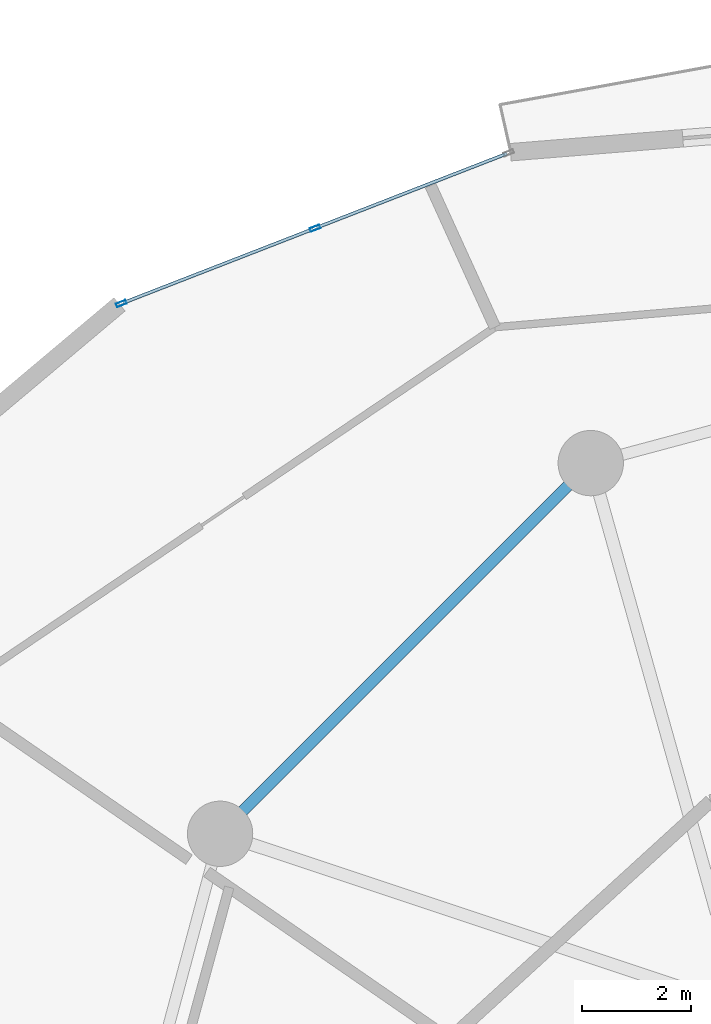
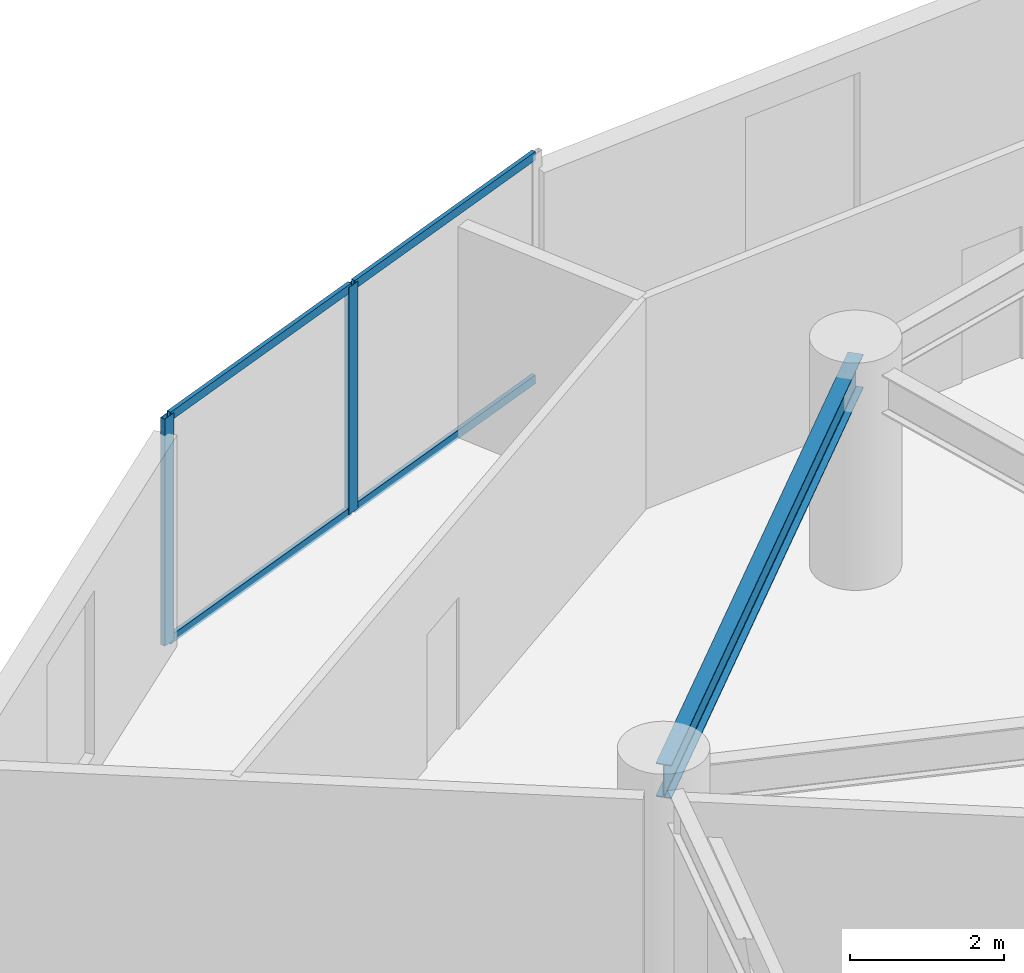
# One storey, part 15 of 26: 6 members, 1 beam, 1 element without a shape of its own.
"""IFC4 building model written with IfcOpenShell, lengths in metres."""

from ifc_helpers import new_model, si_unit, direction, frame, origin, origin_2d, place, context, subcontext, project, spatial, hollow_rectangle, i_section, extrude, source, transform, mapped, material, layer, layer_set, material_profile, profile_set, type_object, element, aggregate, save


model = new_model("IFC4")

# Units and contexts
model_context = context("Model", 3, precision=1e-05, world=origin(), true_north=direction((0.0, 1.0)))
body_context = subcontext(model_context, "Body", "Model", "MODEL_VIEW")
ifc_project = project(units=[si_unit("LENGTHUNIT", "METRE"), si_unit("AREAUNIT", "SQUARE_METRE"), si_unit("VOLUMEUNIT", "CUBIC_METRE"), si_unit("PLANEANGLEUNIT", "RADIAN"), si_unit("MASSUNIT", "GRAM", prefix="KILO")], contexts=[model_context])

# Site, building, storey
site_placement = place(None, origin())
site = spatial("IfcSite", under=ifc_project, at=site_placement, CompositionType="ELEMENT")
building_placement = place(site_placement, origin())
building = spatial("IfcBuilding", under=site, at=building_placement, Name="Solvirekh Grand Hotel", CompositionType="ELEMENT")
storey_placement = place(building_placement, frame((0.0, 0.0, 68.0)))
storey = spatial("IfcBuildingStorey", under=building, at=storey_placement, Name="L16", CompositionType="ELEMENT", Elevation=68.0)

# Beam
ifc_material_1 = material(Name="Steel S355", Category="steel")
ifc_material_profile_1 = material_profile(ifc_material_1, i_section(OverallWidth=0.208984375, OverallDepth=0.532958984375, WebThickness=0.010009765625, FlangeThickness=0.014892578125, FilletRadius=0.013916015625, at=origin_2d()), Name="W530X92")
ifc_profile_set_1 = profile_set([ifc_material_profile_1], Name="Steel S355")
beam_type = type_object("IfcBeamType", Name="Spandrel_Ring_W530", PredefinedType="SPANDREL", material=ifc_profile_set_1)
beam_placement = place(storey_placement, frame((-9.300048828125, 16.10791015625, 3.073974609375), z_axis=(-0.707106781187, -0.707106781187, 0.0), x_axis=(0.707106781187, -0.707106781187, 0.0)))
element("IfcBeam", 1, at=beam_placement, inside=storey, type_object=beam_type, Name="L16 perimeter spandrel beam 5", PredefinedType="SPANDREL", context=body_context, shape_type="SweptSolid", body=[
    extrude(i_section(OverallWidth=0.208984375, OverallDepth=0.532958984375, WebThickness=0.010009765625, FlangeThickness=0.014892578125, FilletRadius=0.013916015625, at=origin_2d()), origin(), (0.0, 0.0, 1.0), 9.627685546875),
])

# Curtain wall, members
ifc_material_2 = material(Name="Anodized Bronze Aluminium 6063-T6", Category="aluminium")
ifc_layer = layer(ifc_material_2, 0.18994140625)
ifc_layer_set = layer_set([ifc_layer], Name="Anodized Bronze Aluminium 6063-T6")
curtain_wall_type = type_object("IfcCurtainWallType", Name="CW_Sys2_LowZoneFlushBronzeCW", PredefinedType="NOTDEFINED", material=ifc_layer_set)
curtain_wall_placement = place(storey_placement, origin())
curtain_wall = element("IfcCurtainWall", 2, at=curtain_wall_placement, inside=storey, type_object=curtain_wall_type, Name="L16 unitised bronze-glass curtain wall CW-L16-C08", PredefinedType="NOTDEFINED")
ifc_material_profile_2 = material_profile(ifc_material_2, hollow_rectangle(XDim=0.070068359375, YDim=0.18994140625, WallThickness=0.0048828125, at=origin_2d()), Name="ALU RHS 190X70X5")
ifc_profile_set_2 = profile_set([ifc_material_profile_2], Name="Anodized Bronze Aluminium 6063-T6")
member_type_1 = type_object("IfcMemberType", Name="CWMullion_Sys2", PredefinedType="MULLION", material=ifc_profile_set_2)
shared_shape_1 = source(origin(), body_context, "Body", "SweptSolid", [
    extrude(hollow_rectangle(XDim=0.070068359375, YDim=0.18994140625, WallThickness=0.0048828125, at=origin_2d()), origin(), (0.0, 0.0, 1.0), 3.60009765625),
])
member_1_placement = place(storey_placement, frame((-14.364501953125, 20.42138671875, 0.0), z_axis=(0.0, 0.0, 1.0), x_axis=(0.362490102407, -0.931987620979, 0.0)))
member_1 = element("IfcMember", 3, at=member_1_placement, type_object=member_type_1, Name="U02 mullion 2", PredefinedType="MULLION", context=body_context, shape_type="MappedRepresentation", body=[
    mapped(shared_shape_1, transform((0.0, 0.0, 0.0), x_axis=(1.0, 0.0, 0.0), y_axis=(0.0, 1.0, 0.0), z_axis=(0.0, 0.0, 1.0), scale=1.0)),
])
member_2_placement = place(storey_placement, frame((-17.92236328125, 19.03759765625, 0.0), z_axis=(0.0, 0.0, 1.0), x_axis=(0.362490102407, -0.931987620979, 0.0)))
member_2 = element("IfcMember", 4, at=member_2_placement, type_object=member_type_1, Name="U02 mullion 3", PredefinedType="MULLION", context=body_context, shape_type="MappedRepresentation", body=[
    mapped(shared_shape_1, transform((0.0, 0.0, 0.0), x_axis=(1.0, 0.0, 0.0), y_axis=(0.0, 1.0, 0.0), z_axis=(0.0, 0.0, 1.0), scale=1.0)),
])
ifc_material_profile_3 = material_profile(ifc_material_2, hollow_rectangle(XDim=0.06005859375, YDim=0.135009765625, WallThickness=0.00390625, at=origin_2d()), Name="ALU RHS 135X60X4")
ifc_profile_set_3 = profile_set([ifc_material_profile_3], Name="Anodized Bronze Aluminium 6063-T6")
member_type_2 = type_object("IfcMemberType", Name="CWTransom_Sys2", PredefinedType="USERDEFINED", material=ifc_profile_set_3)
shared_shape_2 = source(origin(), body_context, "Body", "SweptSolid", [
    extrude(hollow_rectangle(XDim=0.06005859375, YDim=0.135009765625, WallThickness=0.00390625, at=origin_2d()), origin(), (0.0, 0.0, 1.0), 3.747314453125),
])
member_3_placement = place(storey_placement, frame((-10.83935546875, 21.792724609375, 0.030029296875), z_axis=(-0.931961872558, -0.362556296455, 0.0), x_axis=(0.362556296455, -0.931961872558, 0.0)))
member_3 = element("IfcMember", 5, at=member_3_placement, type_object=member_type_2, Name="U02 transom 1.1", ObjectType="TRANSOM", PredefinedType="USERDEFINED", context=body_context, shape_type="MappedRepresentation", body=[
    mapped(shared_shape_2, transform((0.0, 0.0, 0.0), x_axis=(1.0, 0.0, 0.0), y_axis=(0.0, 1.0, 0.0), z_axis=(0.0, 0.0, 1.0), scale=1.0)),
])
member_4_placement = place(storey_placement, frame((-10.83935546875, 21.792724609375, 3.570068359375), z_axis=(-0.931961872558, -0.362556296455, 0.0), x_axis=(0.362556296455, -0.931961872558, 0.0)))
member_4 = element("IfcMember", 6, at=member_4_placement, type_object=member_type_2, Name="U02 transom 1.2", ObjectType="TRANSOM", PredefinedType="USERDEFINED", context=body_context, shape_type="MappedRepresentation", body=[
    mapped(shared_shape_2, transform((0.0, 0.0, 0.0), x_axis=(1.0, 0.0, 0.0), y_axis=(0.0, 1.0, 0.0), z_axis=(0.0, 0.0, 1.0), scale=1.0)),
])
member_5_placement = place(storey_placement, frame((-14.397216796875, 20.40869140625, 0.030029296875), z_axis=(-0.931983884595, -0.362499708765, 0.0), x_axis=(0.362499708765, -0.931983884595, 0.0)))
member_5 = element("IfcMember", 7, at=member_5_placement, type_object=member_type_2, Name="U02 transom 2.1", ObjectType="TRANSOM", PredefinedType="USERDEFINED", context=body_context, shape_type="MappedRepresentation", body=[
    mapped(shared_shape_2, transform((0.0, 0.0, 0.0), x_axis=(1.0, 0.0, 0.0), y_axis=(0.0, 1.0, 0.0), z_axis=(0.0, 0.0, 1.0), scale=1.0)),
])
member_6_placement = place(storey_placement, frame((-14.397216796875, 20.40869140625, 3.570068359375), z_axis=(-0.931983884595, -0.362499708765, 0.0), x_axis=(0.362499708765, -0.931983884595, 0.0)))
member_6 = element("IfcMember", 8, at=member_6_placement, type_object=member_type_2, Name="U02 transom 2.2", ObjectType="TRANSOM", PredefinedType="USERDEFINED", context=body_context, shape_type="MappedRepresentation", body=[
    mapped(shared_shape_2, transform((0.0, 0.0, 0.0), x_axis=(1.0, 0.0, 0.0), y_axis=(0.0, 1.0, 0.0), z_axis=(0.0, 0.0, 1.0), scale=1.0)),
])
aggregate(curtain_wall, [member_1, member_2, member_3, member_4, member_5, member_6])

save(model, "model.ifc")
